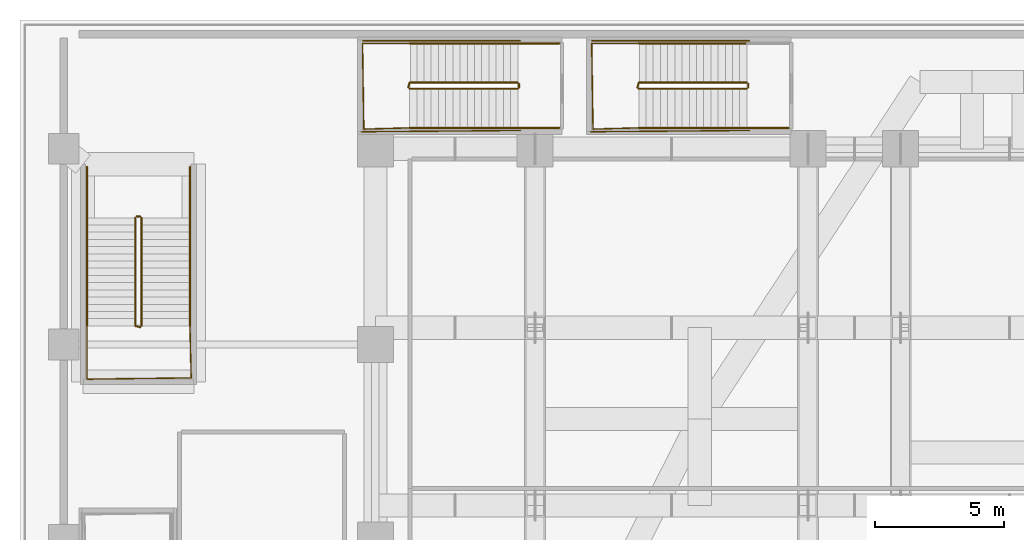
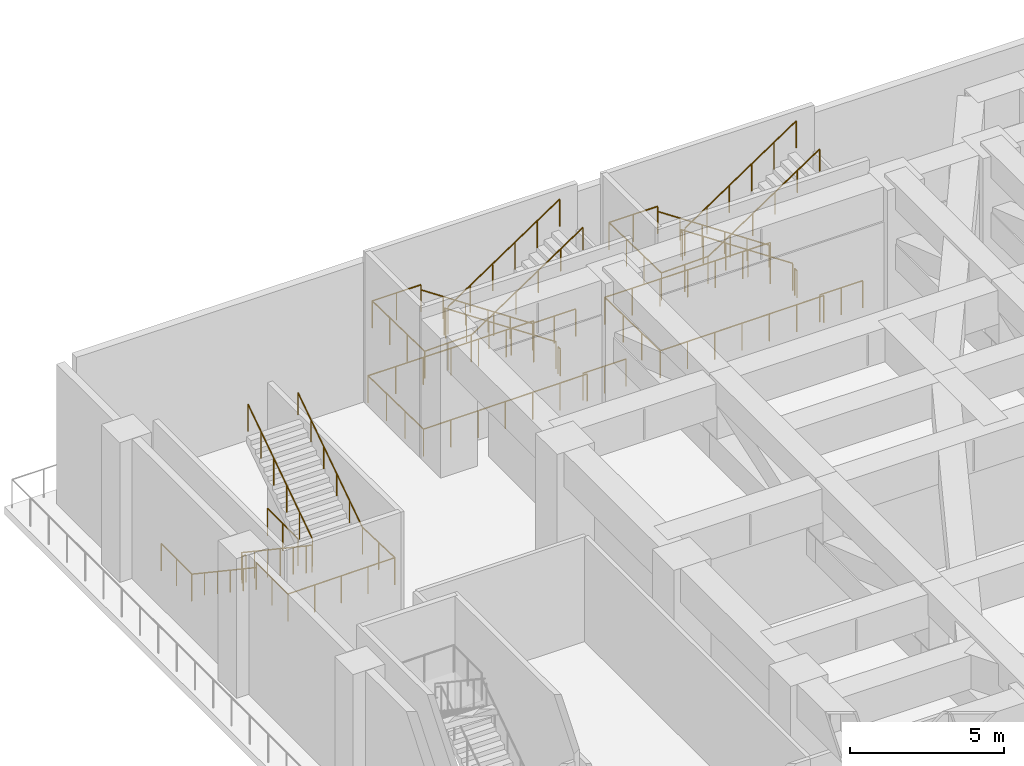
# One storey, part 21 of 27: 25 railings.
"""IFC4 building model written with IfcOpenShell, lengths in metres."""

from ifc_helpers import new_model, si_unit, direction, frame, origin, origin_2d, place, context, subcontext, project, spatial, circle, extrude, material, layer, layer_set, type_object, element, save


model = new_model("IFC4")

# Units and contexts
model_context = context("Model", 3, precision=1e-05, world=origin(), true_north=direction((0.0, 1.0)))
body_context = subcontext(model_context, "Body", "Model", "MODEL_VIEW")
ifc_project = project(units=[si_unit("LENGTHUNIT", "METRE"), si_unit("AREAUNIT", "SQUARE_METRE"), si_unit("VOLUMEUNIT", "CUBIC_METRE"), si_unit("PLANEANGLEUNIT", "RADIAN"), si_unit("MASSUNIT", "GRAM", prefix="KILO")], contexts=[model_context])

# Site, building, storey
site_placement = place(None, origin())
site = spatial("IfcSite", under=ifc_project, at=site_placement, CompositionType="ELEMENT")
building_placement = place(site_placement, origin())
building = spatial("IfcBuilding", under=site, at=building_placement, Name="Ndaravel Arena Tower", CompositionType="ELEMENT")
storey_placement = place(building_placement, frame((0.0, 0.0, 24.0)))
storey = spatial("IfcBuildingStorey", under=building, at=storey_placement, Name="L04", CompositionType="ELEMENT", Elevation=24.0)

# Railings
ifc_material_1 = material(Name="Steel S355", Category="steel")
ifc_layer_1 = layer(ifc_material_1, 0.06005859375)
ifc_layer_set_1 = layer_set([ifc_layer_1], Name="Steel S355")
railing_type_1 = type_object("IfcRailingType", Name="RAIL-STAIR-GD1100", PredefinedType="GUARDRAIL", material=ifc_layer_set_1)
railing_1_placement = place(storey_placement, frame((19.330078125, 45.570068359375, 0.1875)))
element("IfcRailing", 1, at=railing_1_placement, inside=storey, type_object=railing_type_1, Name="L04 ST-A08 stair guard 1", PredefinedType="GUARDRAIL", context=body_context, shape_type="SweptSolid", body=[
    extrude(circle(Radius=0.02392578125, at=origin_2d()), frame((0.0, 0.0, 1.076171875), z_axis=(-0.830919138977, 0.0, 0.55639319234), x_axis=(0.0, -1.0, 0.0)), (0.0, 0.0, 1.0), 5.054931640625),
    extrude(circle(Radius=0.02392578125, at=origin_2d()), frame((-4.2001953125, 0.0, 3.888671875), z_axis=(-0.253331722487, -0.967379469692, 0.0), x_axis=(0.967379469692, -0.253331722487, 0.0)), (0.0, 0.0, 1.0), 0.196533203125),
    extrude(circle(Radius=0.02099609375, at=origin_2d()), origin(), (0.0, 0.0, 1.0), 1.052001953125),
    extrude(circle(Radius=0.02099609375, at=origin_2d()), frame((-0.840087890625, 0.0, 0.5625)), (0.0, 0.0, 1.0), 1.052001953125),
    extrude(circle(Radius=0.02099609375, at=origin_2d()), frame((-1.68017578125, 0.0, 1.125)), (0.0, 0.0, 1.0), 1.052001953125),
    extrude(circle(Radius=0.02099609375, at=origin_2d()), frame((-2.52001953125, 0.0, 1.6875)), (0.0, 0.0, 1.0), 1.052001953125),
    extrude(circle(Radius=0.02099609375, at=origin_2d()), frame((-3.360107421875, 0.0, 2.25)), (0.0, 0.0, 1.0), 1.052001953125),
    extrude(circle(Radius=0.02099609375, at=origin_2d()), frame((-4.2001953125, 0.0, 2.8125)), (0.0, 0.0, 1.0), 1.052001953125),
    extrude(circle(Radius=0.02099609375, at=origin_2d()), frame((-4.25, -0.190185546875, 2.8125)), (0.0, 0.0, 1.0), 1.052001953125),
])
railing_2_placement = place(storey_placement, frame((15.1298828125, 47.090087890625, 3.0)))
element("IfcRailing", 2, at=railing_2_placement, inside=storey, type_object=railing_type_1, Name="L04 ST-A08 stair guard 2", PredefinedType="GUARDRAIL", context=body_context, shape_type="SweptSolid", body=[
    extrude(circle(Radius=0.02392578125, at=origin_2d()), frame((0.0, 0.0, 1.076171875), z_axis=(-1.0, 0.0, 0.0), x_axis=(0.0, -1.0, 0.0)), (0.0, 0.0, 1.0), 1.829833984375),
    extrude(circle(Radius=0.02392578125, at=origin_2d()), frame((-1.829833984375, 0.0, 1.076171875), z_axis=(0.015027628384, -0.999887078817, 0.0), x_axis=(0.999887078817, 0.015027628384, 0.0)), (0.0, 0.0, 1.0), 3.33056640625),
    extrude(circle(Radius=0.02392578125, at=origin_2d()), frame((-1.77978515625, -3.330078125, 1.076171875), z_axis=(0.999604847084, 0.028109601324, 0.0), x_axis=(-0.028109601324, 0.999604847084, 0.0)), (0.0, 0.0, 1.0), 1.780517578125),
    extrude(circle(Radius=0.02099609375, at=origin_2d()), origin(), (0.0, 0.0, 1.0), 1.052001953125),
    extrude(circle(Radius=0.02099609375, at=origin_2d()), frame((-0.9150390625, 0.0, 0.0)), (0.0, 0.0, 1.0), 1.052001953125),
    extrude(circle(Radius=0.02099609375, at=origin_2d()), frame((-1.829833984375, 0.0, 0.0)), (0.0, 0.0, 1.0), 1.052001953125),
    extrude(circle(Radius=0.02099609375, at=origin_2d()), frame((-1.813232421875, -1.110107421875, 0.0)), (0.0, 0.0, 1.0), 1.052001953125),
    extrude(circle(Radius=0.02099609375, at=origin_2d()), frame((-1.79638671875, -2.219970703125, 0.0)), (0.0, 0.0, 1.0), 1.052001953125),
    extrude(circle(Radius=0.02099609375, at=origin_2d()), frame((-1.77978515625, -3.330078125, 0.0)), (0.0, 0.0, 1.0), 1.052001953125),
    extrude(circle(Radius=0.02099609375, at=origin_2d()), frame((-0.889892578125, -3.30517578125, 0.0)), (0.0, 0.0, 1.0), 1.052001953125),
    extrude(circle(Radius=0.02099609375, at=origin_2d()), frame((0.0, -3.280029296875, 0.0)), (0.0, 0.0, 1.0), 1.052001953125),
])
railing_3_placement = place(storey_placement, frame((15.1298828125, 45.330078125, 3.1875)))
element("IfcRailing", 3, at=railing_3_placement, inside=storey, type_object=railing_type_1, Name="L04 ST-A08 stair guard 3", PredefinedType="GUARDRAIL", context=body_context, shape_type="SweptSolid", body=[
    extrude(circle(Radius=0.02392578125, at=origin_2d()), frame((0.0, 0.0, 1.076171875), z_axis=(0.830919138977, 0.0, 0.55639319234), x_axis=(0.0, 1.0, 0.0)), (0.0, 0.0, 1.0), 5.054931640625),
    extrude(circle(Radius=0.02099609375, at=origin_2d()), origin(), (0.0, 0.0, 1.0), 1.052001953125),
    extrude(circle(Radius=0.02099609375, at=origin_2d()), frame((0.840087890625, 0.0, 0.5625)), (0.0, 0.0, 1.0), 1.052001953125),
    extrude(circle(Radius=0.02099609375, at=origin_2d()), frame((1.68017578125, 0.0, 1.125)), (0.0, 0.0, 1.0), 1.052001953125),
    extrude(circle(Radius=0.02099609375, at=origin_2d()), frame((2.52001953125, 0.0, 1.6875)), (0.0, 0.0, 1.0), 1.052001953125),
    extrude(circle(Radius=0.02099609375, at=origin_2d()), frame((3.360107421875, 0.0, 2.25)), (0.0, 0.0, 1.0), 1.052001953125),
    extrude(circle(Radius=0.02099609375, at=origin_2d()), frame((4.2001953125, 0.0, 2.8125)), (0.0, 0.0, 1.0), 1.052001953125),
])
railing_4_placement = place(storey_placement, frame((19.3798828125, 45.52001953125, 0.0)))
element("IfcRailing", 4, at=railing_4_placement, inside=storey, type_object=railing_type_1, Name="L04 ST-A08 stair guard 4", PredefinedType="GUARDRAIL", context=body_context, shape_type="SweptSolid", body=[
    extrude(circle(Radius=0.02392578125, at=origin_2d()), frame((0.0, 0.0, 1.076171875), z_axis=(0.0, -1.0, 0.0), x_axis=(1.0, 0.0, 0.0)), (0.0, 0.0, 1.0), 0.14013671875),
    extrude(circle(Radius=0.02099609375, at=origin_2d()), origin(), (0.0, 0.0, 1.0), 1.052001953125),
    extrude(circle(Radius=0.02099609375, at=origin_2d()), frame((0.0, -0.14013671875, 0.0)), (0.0, 0.0, 1.0), 1.052001953125),
])
for number, where, name in (
    (5, (20.949951171875, 47.090087890625, 0.0), "L04 ST-A08 stair guard 5"),
    (6, (20.949951171875, 43.81005859375, 0.0), "L04 ST-A08 stair guard 6"),
):
    element("IfcRailing", number, at=place(storey_placement, frame(where)), inside=storey, type_object=railing_type_1, Name=name, PredefinedType="GUARDRAIL", context=body_context, shape_type="SweptSolid", body=[
        extrude(circle(Radius=0.02392578125, at=origin_2d()), frame((0.0, 0.0, 1.076171875), z_axis=(-1.0, 0.0, 0.0), x_axis=(0.0, -1.0, 0.0)), (0.0, 0.0, 1.0), 1.619873046875),
        extrude(circle(Radius=0.02099609375, at=origin_2d()), origin(), (0.0, 0.0, 1.0), 1.052001953125),
        extrude(circle(Radius=0.02099609375, at=origin_2d()), frame((-0.81005859375, 0.0, 0.0)), (0.0, 0.0, 1.0), 1.052001953125),
        extrude(circle(Radius=0.02099609375, at=origin_2d()), frame((-1.619873046875, 0.0, 0.0)), (0.0, 0.0, 1.0), 1.052001953125),
    ])
railing_5_placement = place(storey_placement, frame((19.429931640625, 47.18994140625, 0.0)))
element("IfcRailing", 7, at=railing_5_placement, inside=storey, type_object=railing_type_1, Name="L04 ST-A08 stair guard 7", PredefinedType="GUARDRAIL", context=body_context, shape_type="SweptSolid", body=[
    extrude(circle(Radius=0.02392578125, at=origin_2d()), frame((0.0, 0.0, 1.076171875), z_axis=(-1.0, 0.0, 0.0), x_axis=(0.0, -1.0, 0.0)), (0.0, 0.0, 1.0), 6.22998046875),
    extrude(circle(Radius=0.02392578125, at=origin_2d()), frame((-6.22998046875, 0.0, 1.076171875), z_axis=(0.014176595818, -0.999899507016, 0.0), x_axis=(0.999899507016, 0.014176595818, 0.0)), (0.0, 0.0, 1.0), 3.5302734375),
    extrude(circle(Radius=0.02392578125, at=origin_2d()), frame((-6.179931640625, -3.530029296875, 1.076171875), z_axis=(0.999967207908, 0.008098339889, 0.0), x_axis=(-0.008098339889, 0.999967207908, 0.0)), (0.0, 0.0, 1.0), 6.18017578125),
    extrude(circle(Radius=0.02099609375, at=origin_2d()), origin(), (0.0, 0.0, 1.0), 1.052001953125),
    extrude(circle(Radius=0.02099609375, at=origin_2d()), frame((-1.038330078125, 0.0, 0.0)), (0.0, 0.0, 1.0), 1.052001953125),
    extrude(circle(Radius=0.02099609375, at=origin_2d()), frame((-2.07666015625, 0.0, 0.0)), (0.0, 0.0, 1.0), 1.052001953125),
    extrude(circle(Radius=0.02099609375, at=origin_2d()), frame((-3.114990234375, 0.0, 0.0)), (0.0, 0.0, 1.0), 1.052001953125),
    extrude(circle(Radius=0.02099609375, at=origin_2d()), frame((-4.1533203125, 0.0, 0.0)), (0.0, 0.0, 1.0), 1.052001953125),
    extrude(circle(Radius=0.02099609375, at=origin_2d()), frame((-5.191650390625, 0.0, 0.0)), (0.0, 0.0, 1.0), 1.052001953125),
    extrude(circle(Radius=0.02099609375, at=origin_2d()), frame((-6.22998046875, 0.0, 0.0)), (0.0, 0.0, 1.0), 1.052001953125),
    extrude(circle(Radius=0.02099609375, at=origin_2d()), frame((-6.21337890625, -1.1767578125, 0.0)), (0.0, 0.0, 1.0), 1.052001953125),
    extrude(circle(Radius=0.02099609375, at=origin_2d()), frame((-6.196533203125, -2.353271484375, 0.0)), (0.0, 0.0, 1.0), 1.052001953125),
    extrude(circle(Radius=0.02099609375, at=origin_2d()), frame((-6.179931640625, -3.530029296875, 0.0)), (0.0, 0.0, 1.0), 1.052001953125),
    extrude(circle(Radius=0.02099609375, at=origin_2d()), frame((-5.14990234375, -3.521728515625, 0.0)), (0.0, 0.0, 1.0), 1.052001953125),
    extrude(circle(Radius=0.02099609375, at=origin_2d()), frame((-4.119873046875, -3.513427734375, 0.0)), (0.0, 0.0, 1.0), 1.052001953125),
    extrude(circle(Radius=0.02099609375, at=origin_2d()), frame((-3.08984375, -3.5048828125, 0.0)), (0.0, 0.0, 1.0), 1.052001953125),
    extrude(circle(Radius=0.02099609375, at=origin_2d()), frame((-2.06005859375, -3.49658203125, 0.0)), (0.0, 0.0, 1.0), 1.052001953125),
    extrude(circle(Radius=0.02099609375, at=origin_2d()), frame((-1.030029296875, -3.48828125, 0.0)), (0.0, 0.0, 1.0), 1.052001953125),
    extrude(circle(Radius=0.02099609375, at=origin_2d()), frame((0.0, -3.47998046875, 0.0)), (0.0, 0.0, 1.0), 1.052001953125),
])
railing_6_placement = place(storey_placement, frame((28.22998046875, 45.570068359375, 0.1875)))
element("IfcRailing", 8, at=railing_6_placement, inside=storey, type_object=railing_type_1, Name="L04 ST-A09 stair guard 1", PredefinedType="GUARDRAIL", context=body_context, shape_type="SweptSolid", body=[
    extrude(circle(Radius=0.02392578125, at=origin_2d()), frame((0.0, 0.0, 1.076171875), z_axis=(-0.830904186295, 0.0, 0.556415522067), x_axis=(0.0, -1.0, 0.0)), (0.0, 0.0, 1.0), 5.0546875),
    extrude(circle(Radius=0.02392578125, at=origin_2d()), frame((-4.199951171875, 0.0, 3.888671875), z_axis=(-0.25449329928, -0.967074537263, 0.0), x_axis=(0.967074537263, -0.25449329928, 0.0)), (0.0, 0.0, 1.0), 0.19677734375),
    extrude(circle(Radius=0.02099609375, at=origin_2d()), origin(), (0.0, 0.0, 1.0), 1.052001953125),
    extrude(circle(Radius=0.02099609375, at=origin_2d()), frame((-0.840087890625, 0.0, 0.5625)), (0.0, 0.0, 1.0), 1.052001953125),
    extrude(circle(Radius=0.02099609375, at=origin_2d()), frame((-1.679931640625, 0.0, 1.125)), (0.0, 0.0, 1.0), 1.052001953125),
    extrude(circle(Radius=0.02099609375, at=origin_2d()), frame((-2.52001953125, 0.0, 1.6875)), (0.0, 0.0, 1.0), 1.052001953125),
    extrude(circle(Radius=0.02099609375, at=origin_2d()), frame((-3.35986328125, 0.0, 2.25)), (0.0, 0.0, 1.0), 1.052001953125),
    extrude(circle(Radius=0.02099609375, at=origin_2d()), frame((-4.199951171875, 0.0, 2.8125)), (0.0, 0.0, 1.0), 1.052001953125),
    extrude(circle(Radius=0.02099609375, at=origin_2d()), frame((-4.25, -0.190185546875, 2.8125)), (0.0, 0.0, 1.0), 1.052001953125),
])
railing_7_placement = place(storey_placement, frame((24.030029296875, 47.090087890625, 3.0)))
element("IfcRailing", 9, at=railing_7_placement, inside=storey, type_object=railing_type_1, Name="L04 ST-A09 stair guard 2", PredefinedType="GUARDRAIL", context=body_context, shape_type="SweptSolid", body=[
    extrude(circle(Radius=0.02392578125, at=origin_2d()), frame((0.0, 0.0, 1.076171875), z_axis=(-1.0, 0.0, 0.0), x_axis=(0.0, -1.0, 0.0)), (0.0, 0.0, 1.0), 1.830078125),
    extrude(circle(Radius=0.02392578125, at=origin_2d()), frame((-1.830078125, 0.0, 1.076171875), z_axis=(0.015027628384, -0.999887078817, 0.0), x_axis=(0.999887078817, 0.015027628384, 0.0)), (0.0, 0.0, 1.0), 3.33056640625),
    extrude(circle(Radius=0.02392578125, at=origin_2d()), frame((-1.780029296875, -3.330078125, 1.076171875), z_axis=(0.999604955407, 0.028105748986, 0.0), x_axis=(-0.028105748986, 0.999604955407, 0.0)), (0.0, 0.0, 1.0), 1.78076171875),
    extrude(circle(Radius=0.02099609375, at=origin_2d()), origin(), (0.0, 0.0, 1.0), 1.052001953125),
    extrude(circle(Radius=0.02099609375, at=origin_2d()), frame((-0.9150390625, 0.0, 0.0)), (0.0, 0.0, 1.0), 1.052001953125),
    extrude(circle(Radius=0.02099609375, at=origin_2d()), frame((-1.830078125, 0.0, 0.0)), (0.0, 0.0, 1.0), 1.052001953125),
    extrude(circle(Radius=0.02099609375, at=origin_2d()), frame((-1.8134765625, -1.110107421875, 0.0)), (0.0, 0.0, 1.0), 1.052001953125),
    extrude(circle(Radius=0.02099609375, at=origin_2d()), frame((-1.796630859375, -2.219970703125, 0.0)), (0.0, 0.0, 1.0), 1.052001953125),
    extrude(circle(Radius=0.02099609375, at=origin_2d()), frame((-1.780029296875, -3.330078125, 0.0)), (0.0, 0.0, 1.0), 1.052001953125),
    extrude(circle(Radius=0.02099609375, at=origin_2d()), frame((-0.89013671875, -3.30517578125, 0.0)), (0.0, 0.0, 1.0), 1.052001953125),
    extrude(circle(Radius=0.02099609375, at=origin_2d()), frame((0.0, -3.280029296875, 0.0)), (0.0, 0.0, 1.0), 1.052001953125),
])
railing_8_placement = place(storey_placement, frame((24.030029296875, 45.330078125, 3.1875)))
element("IfcRailing", 10, at=railing_8_placement, inside=storey, type_object=railing_type_1, Name="L04 ST-A09 stair guard 3", PredefinedType="GUARDRAIL", context=body_context, shape_type="SweptSolid", body=[
    extrude(circle(Radius=0.02392578125, at=origin_2d()), frame((0.0, 0.0, 1.076171875), z_axis=(0.830904186295, 0.0, 0.556415522067), x_axis=(0.0, 1.0, 0.0)), (0.0, 0.0, 1.0), 5.0546875),
    extrude(circle(Radius=0.02099609375, at=origin_2d()), origin(), (0.0, 0.0, 1.0), 1.052001953125),
    extrude(circle(Radius=0.02099609375, at=origin_2d()), frame((0.840087890625, 0.0, 0.5625)), (0.0, 0.0, 1.0), 1.052001953125),
    extrude(circle(Radius=0.02099609375, at=origin_2d()), frame((1.679931640625, 0.0, 1.125)), (0.0, 0.0, 1.0), 1.052001953125),
    extrude(circle(Radius=0.02099609375, at=origin_2d()), frame((2.52001953125, 0.0, 1.6875)), (0.0, 0.0, 1.0), 1.052001953125),
    extrude(circle(Radius=0.02099609375, at=origin_2d()), frame((3.35986328125, 0.0, 2.25)), (0.0, 0.0, 1.0), 1.052001953125),
    extrude(circle(Radius=0.02099609375, at=origin_2d()), frame((4.199951171875, 0.0, 2.8125)), (0.0, 0.0, 1.0), 1.052001953125),
])
railing_9_placement = place(storey_placement, frame((28.280029296875, 45.52001953125, 0.0)))
element("IfcRailing", 11, at=railing_9_placement, inside=storey, type_object=railing_type_1, Name="L04 ST-A09 stair guard 4", PredefinedType="GUARDRAIL", context=body_context, shape_type="SweptSolid", body=[
    extrude(circle(Radius=0.02392578125, at=origin_2d()), frame((0.0, 0.0, 1.076171875), z_axis=(0.0, -1.0, 0.0), x_axis=(1.0, 0.0, 0.0)), (0.0, 0.0, 1.0), 0.14013671875),
    extrude(circle(Radius=0.02099609375, at=origin_2d()), origin(), (0.0, 0.0, 1.0), 1.052001953125),
    extrude(circle(Radius=0.02099609375, at=origin_2d()), frame((0.0, -0.14013671875, 0.0)), (0.0, 0.0, 1.0), 1.052001953125),
])
railing_10_placement = place(storey_placement, frame((29.85009765625, 43.81005859375, 0.0)))
element("IfcRailing", 12, at=railing_10_placement, inside=storey, type_object=railing_type_1, Name="L04 ST-A09 stair guard 6", PredefinedType="GUARDRAIL", context=body_context, shape_type="SweptSolid", body=[
    extrude(circle(Radius=0.02392578125, at=origin_2d()), frame((0.0, 0.0, 1.076171875), z_axis=(-1.0, 0.0, 0.0), x_axis=(0.0, -1.0, 0.0)), (0.0, 0.0, 1.0), 1.6201171875),
    extrude(circle(Radius=0.02099609375, at=origin_2d()), origin(), (0.0, 0.0, 1.0), 1.052001953125),
    extrude(circle(Radius=0.02099609375, at=origin_2d()), frame((-0.81005859375, 0.0, 0.0)), (0.0, 0.0, 1.0), 1.052001953125),
    extrude(circle(Radius=0.02099609375, at=origin_2d()), frame((-1.6201171875, 0.0, 0.0)), (0.0, 0.0, 1.0), 1.052001953125),
])
railing_11_placement = place(storey_placement, frame((28.330078125, 47.18994140625, 0.0)))
element("IfcRailing", 13, at=railing_11_placement, inside=storey, type_object=railing_type_1, Name="L04 ST-A09 stair guard 7", PredefinedType="GUARDRAIL", context=body_context, shape_type="SweptSolid", body=[
    extrude(circle(Radius=0.02392578125, at=origin_2d()), frame((0.0, 0.0, 1.076171875), z_axis=(-1.0, 0.0, 0.0), x_axis=(0.0, -1.0, 0.0)), (0.0, 0.0, 1.0), 6.22998046875),
    extrude(circle(Radius=0.02392578125, at=origin_2d()), frame((-6.22998046875, 0.0, 1.076171875), z_axis=(0.014107455489, -0.999900484898, 0.0), x_axis=(0.999900484898, 0.014107455489, 0.0)), (0.0, 0.0, 1.0), 3.5302734375),
    extrude(circle(Radius=0.02392578125, at=origin_2d()), frame((-6.18017578125, -3.530029296875, 1.076171875), z_axis=(0.999967210499, 0.008098019995, 0.0), x_axis=(-0.008098019995, 0.999967210499, 0.0)), (0.0, 0.0, 1.0), 6.180419921875),
    extrude(circle(Radius=0.02099609375, at=origin_2d()), origin(), (0.0, 0.0, 1.0), 1.052001953125),
    extrude(circle(Radius=0.02099609375, at=origin_2d()), frame((-1.038330078125, 0.0, 0.0)), (0.0, 0.0, 1.0), 1.052001953125),
    extrude(circle(Radius=0.02099609375, at=origin_2d()), frame((-2.07666015625, 0.0, 0.0)), (0.0, 0.0, 1.0), 1.052001953125),
    extrude(circle(Radius=0.02099609375, at=origin_2d()), frame((-3.114990234375, 0.0, 0.0)), (0.0, 0.0, 1.0), 1.052001953125),
    extrude(circle(Radius=0.02099609375, at=origin_2d()), frame((-4.1533203125, 0.0, 0.0)), (0.0, 0.0, 1.0), 1.052001953125),
    extrude(circle(Radius=0.02099609375, at=origin_2d()), frame((-5.191650390625, 0.0, 0.0)), (0.0, 0.0, 1.0), 1.052001953125),
    extrude(circle(Radius=0.02099609375, at=origin_2d()), frame((-6.22998046875, 0.0, 0.0)), (0.0, 0.0, 1.0), 1.052001953125),
    extrude(circle(Radius=0.02099609375, at=origin_2d()), frame((-6.21337890625, -1.1767578125, 0.0)), (0.0, 0.0, 1.0), 1.052001953125),
    extrude(circle(Radius=0.02099609375, at=origin_2d()), frame((-6.19677734375, -2.353271484375, 0.0)), (0.0, 0.0, 1.0), 1.052001953125),
    extrude(circle(Radius=0.02099609375, at=origin_2d()), frame((-6.18017578125, -3.530029296875, 0.0)), (0.0, 0.0, 1.0), 1.052001953125),
    extrude(circle(Radius=0.02099609375, at=origin_2d()), frame((-5.150146484375, -3.521728515625, 0.0)), (0.0, 0.0, 1.0), 1.052001953125),
    extrude(circle(Radius=0.02099609375, at=origin_2d()), frame((-4.1201171875, -3.513427734375, 0.0)), (0.0, 0.0, 1.0), 1.052001953125),
    extrude(circle(Radius=0.02099609375, at=origin_2d()), frame((-3.090087890625, -3.5048828125, 0.0)), (0.0, 0.0, 1.0), 1.052001953125),
    extrude(circle(Radius=0.02099609375, at=origin_2d()), frame((-2.06005859375, -3.49658203125, 0.0)), (0.0, 0.0, 1.0), 1.052001953125),
    extrude(circle(Radius=0.02099609375, at=origin_2d()), frame((-1.030029296875, -3.48828125, 0.0)), (0.0, 0.0, 1.0), 1.052001953125),
    extrude(circle(Radius=0.02099609375, at=origin_2d()), frame((0.0, -3.47998046875, 0.0)), (0.0, 0.0, 1.0), 1.052001953125),
])
railing_12_placement = place(storey_placement, frame((4.47998046875, 40.320068359375, 0.1875)))
element("IfcRailing", 14, at=railing_12_placement, inside=storey, type_object=railing_type_1, Name="L04 ST-GDN-1 stair guard 1", PredefinedType="GUARDRAIL", context=body_context, shape_type="SweptSolid", body=[
    extrude(circle(Radius=0.02392578125, at=origin_2d()), frame((0.0, 0.0, 1.076171875), z_axis=(0.0, -0.830904186295, 0.556415522067), x_axis=(1.0, 0.0, 0.0)), (0.0, 0.0, 1.0), 5.0546875),
    extrude(circle(Radius=0.02392578125, at=origin_2d()), frame((0.0, -4.199951171875, 3.888671875), z_axis=(0.966993988697, -0.254799187253, 0.0), x_axis=(0.254799187253, 0.966993988697, 0.0)), (0.0, 0.0, 1.0), 0.196533203125),
    extrude(circle(Radius=0.02099609375, at=origin_2d()), origin(), (0.0, 0.0, 1.0), 1.052001953125),
    extrude(circle(Radius=0.02099609375, at=origin_2d()), frame((0.0, -0.840087890625, 0.5625)), (0.0, 0.0, 1.0), 1.052001953125),
    extrude(circle(Radius=0.02099609375, at=origin_2d()), frame((0.0, -1.679931640625, 1.125)), (0.0, 0.0, 1.0), 1.052001953125),
    extrude(circle(Radius=0.02099609375, at=origin_2d()), frame((0.0, -2.52001953125, 1.6875)), (0.0, 0.0, 1.0), 1.052001953125),
    extrude(circle(Radius=0.02099609375, at=origin_2d()), frame((0.0, -3.35986328125, 2.25)), (0.0, 0.0, 1.0), 1.052001953125),
    extrude(circle(Radius=0.02099609375, at=origin_2d()), frame((0.0, -4.199951171875, 2.8125)), (0.0, 0.0, 1.0), 1.052001953125),
    extrude(circle(Radius=0.02099609375, at=origin_2d()), frame((0.18994140625, -4.25, 2.8125)), (0.0, 0.0, 1.0), 1.052001953125),
])
railing_13_placement = place(storey_placement, frame((2.60009765625, 36.1201171875, 3.0)))
element("IfcRailing", 15, at=railing_13_placement, inside=storey, type_object=railing_type_1, Name="L04 ST-GDN-1 stair guard 2", PredefinedType="GUARDRAIL", context=body_context, shape_type="SweptSolid", body=[
    extrude(circle(Radius=0.02392578125, at=origin_2d()), frame((0.0, 0.0, 1.076171875), z_axis=(0.0, -1.0, 0.0), x_axis=(1.0, 0.0, 0.0)), (0.0, 0.0, 1.0), 2.070068359375),
    extrude(circle(Radius=0.02392578125, at=origin_2d()), frame((0.0, -2.070068359375, 1.076171875), z_axis=(0.99992364457, 0.012357387698, 0.0), x_axis=(-0.012357387698, 0.99992364457, 0.0)), (0.0, 0.0, 1.0), 4.050048828125),
    extrude(circle(Radius=0.02392578125, at=origin_2d()), frame((4.0498046875, -2.02001953125, 1.076171875), z_axis=(-0.024648056909, 0.999696190495, 0.0), x_axis=(-0.999696190495, -0.024648056909, 0.0)), (0.0, 0.0, 1.0), 2.020751953125),
    extrude(circle(Radius=0.02099609375, at=origin_2d()), origin(), (0.0, 0.0, 1.0), 1.052001953125),
    extrude(circle(Radius=0.02099609375, at=origin_2d()), frame((0.0, -1.03515625, 0.0)), (0.0, 0.0, 1.0), 1.052001953125),
    extrude(circle(Radius=0.02099609375, at=origin_2d()), frame((0.0, -2.070068359375, 0.0)), (0.0, 0.0, 1.0), 1.052001953125),
    extrude(circle(Radius=0.02099609375, at=origin_2d()), frame((1.012451171875, -2.0576171875, 0.0)), (0.0, 0.0, 1.0), 1.052001953125),
    extrude(circle(Radius=0.02099609375, at=origin_2d()), frame((2.02490234375, -2.044921875, 0.0)), (0.0, 0.0, 1.0), 1.052001953125),
    extrude(circle(Radius=0.02099609375, at=origin_2d()), frame((3.037353515625, -2.032470703125, 0.0)), (0.0, 0.0, 1.0), 1.052001953125),
    extrude(circle(Radius=0.02099609375, at=origin_2d()), frame((4.0498046875, -2.02001953125, 0.0)), (0.0, 0.0, 1.0), 1.052001953125),
    extrude(circle(Radius=0.02099609375, at=origin_2d()), frame((4.02490234375, -1.010009765625, 0.0)), (0.0, 0.0, 1.0), 1.052001953125),
    extrude(circle(Radius=0.02099609375, at=origin_2d()), frame((4.0, 0.0, 0.0)), (0.0, 0.0, 1.0), 1.052001953125),
])
railing_14_placement = place(storey_placement, frame((4.719970703125, 36.1201171875, 3.1875)))
element("IfcRailing", 16, at=railing_14_placement, inside=storey, type_object=railing_type_1, Name="L04 ST-GDN-1 stair guard 3", PredefinedType="GUARDRAIL", context=body_context, shape_type="SweptSolid", body=[
    extrude(circle(Radius=0.02392578125, at=origin_2d()), frame((0.0, 0.0, 1.076171875), z_axis=(0.0, 0.830904186295, 0.556415522067), x_axis=(-1.0, 0.0, 0.0)), (0.0, 0.0, 1.0), 5.0546875),
    extrude(circle(Radius=0.02099609375, at=origin_2d()), origin(), (0.0, 0.0, 1.0), 1.052001953125),
    extrude(circle(Radius=0.02099609375, at=origin_2d()), frame((0.0, 0.840087890625, 0.5625)), (0.0, 0.0, 1.0), 1.052001953125),
    extrude(circle(Radius=0.02099609375, at=origin_2d()), frame((0.0, 1.679931640625, 1.125)), (0.0, 0.0, 1.0), 1.052001953125),
    extrude(circle(Radius=0.02099609375, at=origin_2d()), frame((0.0, 2.52001953125, 1.6875)), (0.0, 0.0, 1.0), 1.052001953125),
    extrude(circle(Radius=0.02099609375, at=origin_2d()), frame((0.0, 3.35986328125, 2.25)), (0.0, 0.0, 1.0), 1.052001953125),
    extrude(circle(Radius=0.02099609375, at=origin_2d()), frame((0.0, 4.199951171875, 2.8125)), (0.0, 0.0, 1.0), 1.052001953125),
])
railing_15_placement = place(storey_placement, frame((4.530029296875, 40.3701171875, 0.0)))
element("IfcRailing", 17, at=railing_15_placement, inside=storey, type_object=railing_type_1, Name="L04 ST-GDN-1 stair guard 4", PredefinedType="GUARDRAIL", context=body_context, shape_type="SweptSolid", body=[
    extrude(circle(Radius=0.02392578125, at=origin_2d()), frame((0.0, 0.0, 1.076171875), z_axis=(1.0, 0.0, 0.0), x_axis=(0.0, 1.0, 0.0)), (0.0, 0.0, 1.0), 0.139892578125),
    extrude(circle(Radius=0.02099609375, at=origin_2d()), origin(), (0.0, 0.0, 1.0), 1.052001953125),
    extrude(circle(Radius=0.02099609375, at=origin_2d()), frame((0.139892578125, 0.0, 0.0)), (0.0, 0.0, 1.0), 1.052001953125),
])
for number, where, name in (
    (18, (2.60009765625, 42.300048828125, 0.0), "L04 ST-GDN-1 stair guard 5"),
    (19, (6.60009765625, 42.300048828125, 0.0), "L04 ST-GDN-1 stair guard 6"),
):
    element("IfcRailing", number, at=place(storey_placement, frame(where)), inside=storey, type_object=railing_type_1, Name=name, PredefinedType="GUARDRAIL", context=body_context, shape_type="SweptSolid", body=[
        extrude(circle(Radius=0.02392578125, at=origin_2d()), frame((0.0, 0.0, 1.076171875), z_axis=(0.0, -1.0, 0.0), x_axis=(1.0, 0.0, 0.0)), (0.0, 0.0, 1.0), 1.97998046875),
        extrude(circle(Radius=0.02099609375, at=origin_2d()), origin(), (0.0, 0.0, 1.0), 1.052001953125),
        extrude(circle(Radius=0.02099609375, at=origin_2d()), frame((0.0, -0.989990234375, 0.0)), (0.0, 0.0, 1.0), 1.052001953125),
        extrude(circle(Radius=0.02099609375, at=origin_2d()), frame((0.0, -1.97998046875, 0.0)), (0.0, 0.0, 1.0), 1.052001953125),
    ])
ifc_material_2 = material(Name="Steel S355", Category="steel")
ifc_layer_2 = layer(ifc_material_2, 0.050048828125)
ifc_layer_set_2 = layer_set([ifc_layer_2], Name="Steel S355")
railing_type_2 = type_object("IfcRailingType", Name="RAIL-STAIR-HR920", PredefinedType="HANDRAIL", material=ifc_layer_set_2)
railing_16_placement = place(storey_placement, frame((19.330078125, 47.090087890625, 0.1875)))
element("IfcRailing", 20, at=railing_16_placement, inside=storey, type_object=railing_type_2, Name="L04 ST-A08 stair handrail 1", PredefinedType="HANDRAIL", context=body_context, shape_type="SweptSolid", body=[
    extrude(circle(Radius=0.02392578125, at=origin_2d()), frame((0.0, 0.0, 0.8759765625), z_axis=(-0.830919138977, 0.0, 0.55639319234), x_axis=(0.0, -1.0, 0.0)), (0.0, 0.0, 1.0), 5.054931640625),
    extrude(circle(Radius=0.02099609375, at=origin_2d()), origin(), (0.0, 0.0, 1.0), 0.851806640625),
    extrude(circle(Radius=0.02099609375, at=origin_2d()), frame((-0.840087890625, 0.0, 0.5625)), (0.0, 0.0, 1.0), 0.851806640625),
    extrude(circle(Radius=0.02099609375, at=origin_2d()), frame((-1.68017578125, 0.0, 1.125)), (0.0, 0.0, 1.0), 0.851806640625),
    extrude(circle(Radius=0.02099609375, at=origin_2d()), frame((-2.52001953125, 0.0, 1.6875)), (0.0, 0.0, 1.0), 0.851806640625),
    extrude(circle(Radius=0.02099609375, at=origin_2d()), frame((-3.360107421875, 0.0, 2.25)), (0.0, 0.0, 1.0), 0.851806640625),
    extrude(circle(Radius=0.02099609375, at=origin_2d()), frame((-4.2001953125, 0.0, 2.8125)), (0.0, 0.0, 1.0), 0.851806640625),
])
railing_17_placement = place(storey_placement, frame((15.1298828125, 43.81005859375, 3.1875)))
element("IfcRailing", 21, at=railing_17_placement, inside=storey, type_object=railing_type_2, Name="L04 ST-A08 stair handrail 2", PredefinedType="HANDRAIL", context=body_context, shape_type="SweptSolid", body=[
    extrude(circle(Radius=0.02392578125, at=origin_2d()), frame((0.0, 0.0, 0.8759765625), z_axis=(0.830919138977, 0.0, 0.55639319234), x_axis=(0.0, 1.0, 0.0)), (0.0, 0.0, 1.0), 5.054931640625),
    extrude(circle(Radius=0.02099609375, at=origin_2d()), origin(), (0.0, 0.0, 1.0), 0.851806640625),
    extrude(circle(Radius=0.02099609375, at=origin_2d()), frame((0.840087890625, 0.0, 0.5625)), (0.0, 0.0, 1.0), 0.851806640625),
    extrude(circle(Radius=0.02099609375, at=origin_2d()), frame((1.68017578125, 0.0, 1.125)), (0.0, 0.0, 1.0), 0.851806640625),
    extrude(circle(Radius=0.02099609375, at=origin_2d()), frame((2.52001953125, 0.0, 1.6875)), (0.0, 0.0, 1.0), 0.851806640625),
    extrude(circle(Radius=0.02099609375, at=origin_2d()), frame((3.360107421875, 0.0, 2.25)), (0.0, 0.0, 1.0), 0.851806640625),
    extrude(circle(Radius=0.02099609375, at=origin_2d()), frame((4.2001953125, 0.0, 2.8125)), (0.0, 0.0, 1.0), 0.851806640625),
])
railing_18_placement = place(storey_placement, frame((28.22998046875, 47.090087890625, 0.1875)))
element("IfcRailing", 22, at=railing_18_placement, inside=storey, type_object=railing_type_2, Name="L04 ST-A09 stair handrail 1", PredefinedType="HANDRAIL", context=body_context, shape_type="SweptSolid", body=[
    extrude(circle(Radius=0.02392578125, at=origin_2d()), frame((0.0, 0.0, 0.8759765625), z_axis=(-0.830904186295, 0.0, 0.556415522067), x_axis=(0.0, -1.0, 0.0)), (0.0, 0.0, 1.0), 5.0546875),
    extrude(circle(Radius=0.02099609375, at=origin_2d()), origin(), (0.0, 0.0, 1.0), 0.851806640625),
    extrude(circle(Radius=0.02099609375, at=origin_2d()), frame((-0.840087890625, 0.0, 0.5625)), (0.0, 0.0, 1.0), 0.851806640625),
    extrude(circle(Radius=0.02099609375, at=origin_2d()), frame((-1.679931640625, 0.0, 1.125)), (0.0, 0.0, 1.0), 0.851806640625),
    extrude(circle(Radius=0.02099609375, at=origin_2d()), frame((-2.52001953125, 0.0, 1.6875)), (0.0, 0.0, 1.0), 0.851806640625),
    extrude(circle(Radius=0.02099609375, at=origin_2d()), frame((-3.35986328125, 0.0, 2.25)), (0.0, 0.0, 1.0), 0.851806640625),
    extrude(circle(Radius=0.02099609375, at=origin_2d()), frame((-4.199951171875, 0.0, 2.8125)), (0.0, 0.0, 1.0), 0.851806640625),
])
railing_19_placement = place(storey_placement, frame((24.030029296875, 43.81005859375, 3.1875)))
element("IfcRailing", 23, at=railing_19_placement, inside=storey, type_object=railing_type_2, Name="L04 ST-A09 stair handrail 2", PredefinedType="HANDRAIL", context=body_context, shape_type="SweptSolid", body=[
    extrude(circle(Radius=0.02392578125, at=origin_2d()), frame((0.0, 0.0, 0.8759765625), z_axis=(0.830904186295, 0.0, 0.556415522067), x_axis=(0.0, 1.0, 0.0)), (0.0, 0.0, 1.0), 5.0546875),
    extrude(circle(Radius=0.02099609375, at=origin_2d()), origin(), (0.0, 0.0, 1.0), 0.851806640625),
    extrude(circle(Radius=0.02099609375, at=origin_2d()), frame((0.840087890625, 0.0, 0.5625)), (0.0, 0.0, 1.0), 0.851806640625),
    extrude(circle(Radius=0.02099609375, at=origin_2d()), frame((1.679931640625, 0.0, 1.125)), (0.0, 0.0, 1.0), 0.851806640625),
    extrude(circle(Radius=0.02099609375, at=origin_2d()), frame((2.52001953125, 0.0, 1.6875)), (0.0, 0.0, 1.0), 0.851806640625),
    extrude(circle(Radius=0.02099609375, at=origin_2d()), frame((3.35986328125, 0.0, 2.25)), (0.0, 0.0, 1.0), 0.851806640625),
    extrude(circle(Radius=0.02099609375, at=origin_2d()), frame((4.199951171875, 0.0, 2.8125)), (0.0, 0.0, 1.0), 0.851806640625),
])
railing_20_placement = place(storey_placement, frame((2.60009765625, 40.320068359375, 0.1875)))
element("IfcRailing", 24, at=railing_20_placement, inside=storey, type_object=railing_type_2, Name="L04 ST-GDN-1 stair handrail 1", PredefinedType="HANDRAIL", context=body_context, shape_type="SweptSolid", body=[
    extrude(circle(Radius=0.02392578125, at=origin_2d()), frame((0.0, 0.0, 0.8759765625), z_axis=(0.0, -0.830904186295, 0.556415522067), x_axis=(1.0, 0.0, 0.0)), (0.0, 0.0, 1.0), 5.0546875),
    extrude(circle(Radius=0.02099609375, at=origin_2d()), origin(), (0.0, 0.0, 1.0), 0.851806640625),
    extrude(circle(Radius=0.02099609375, at=origin_2d()), frame((0.0, -0.840087890625, 0.5625)), (0.0, 0.0, 1.0), 0.851806640625),
    extrude(circle(Radius=0.02099609375, at=origin_2d()), frame((0.0, -1.679931640625, 1.125)), (0.0, 0.0, 1.0), 0.851806640625),
    extrude(circle(Radius=0.02099609375, at=origin_2d()), frame((0.0, -2.52001953125, 1.6875)), (0.0, 0.0, 1.0), 0.851806640625),
    extrude(circle(Radius=0.02099609375, at=origin_2d()), frame((0.0, -3.35986328125, 2.25)), (0.0, 0.0, 1.0), 0.851806640625),
    extrude(circle(Radius=0.02099609375, at=origin_2d()), frame((0.0, -4.199951171875, 2.8125)), (0.0, 0.0, 1.0), 0.851806640625),
])
railing_21_placement = place(storey_placement, frame((6.60009765625, 36.1201171875, 3.1875)))
element("IfcRailing", 25, at=railing_21_placement, inside=storey, type_object=railing_type_2, Name="L04 ST-GDN-1 stair handrail 2", PredefinedType="HANDRAIL", context=body_context, shape_type="SweptSolid", body=[
    extrude(circle(Radius=0.02392578125, at=origin_2d()), frame((0.0, 0.0, 0.8759765625), z_axis=(0.0, 0.830904186295, 0.556415522067), x_axis=(-1.0, 0.0, 0.0)), (0.0, 0.0, 1.0), 5.0546875),
    extrude(circle(Radius=0.02099609375, at=origin_2d()), origin(), (0.0, 0.0, 1.0), 0.851806640625),
    extrude(circle(Radius=0.02099609375, at=origin_2d()), frame((0.0, 0.840087890625, 0.5625)), (0.0, 0.0, 1.0), 0.851806640625),
    extrude(circle(Radius=0.02099609375, at=origin_2d()), frame((0.0, 1.679931640625, 1.125)), (0.0, 0.0, 1.0), 0.851806640625),
    extrude(circle(Radius=0.02099609375, at=origin_2d()), frame((0.0, 2.52001953125, 1.6875)), (0.0, 0.0, 1.0), 0.851806640625),
    extrude(circle(Radius=0.02099609375, at=origin_2d()), frame((0.0, 3.35986328125, 2.25)), (0.0, 0.0, 1.0), 0.851806640625),
    extrude(circle(Radius=0.02099609375, at=origin_2d()), frame((0.0, 4.199951171875, 2.8125)), (0.0, 0.0, 1.0), 0.851806640625),
])

save(model, "model.ifc")
